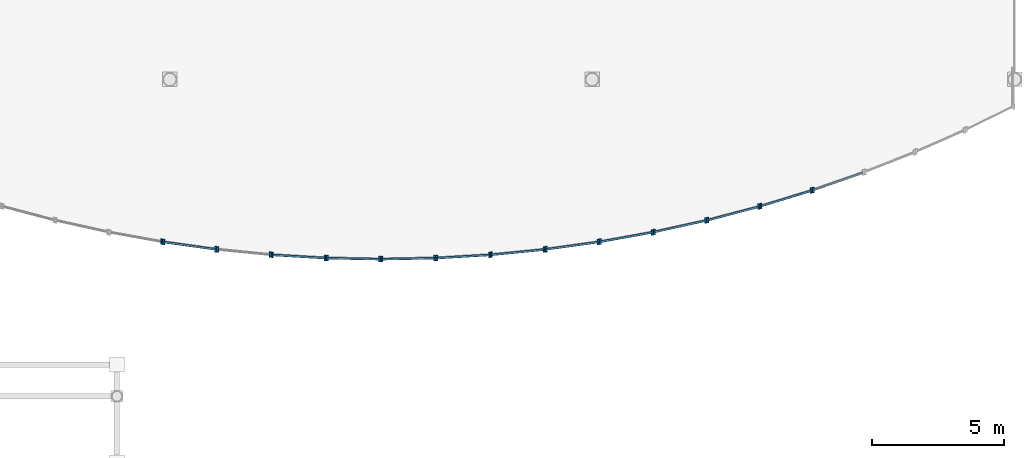
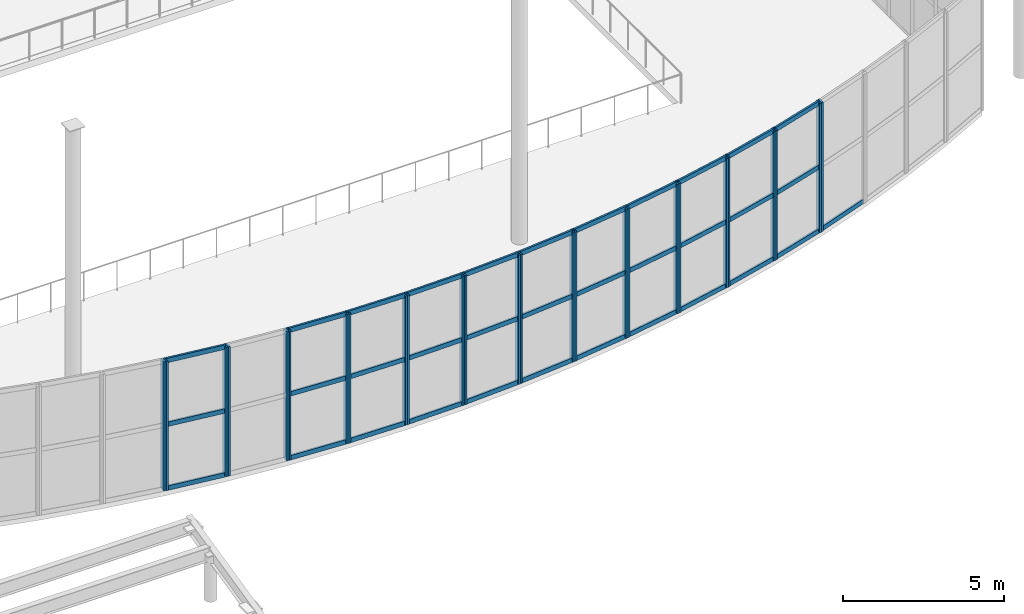
# One storey, part 27 of 77: 60 members, 14 elements without a shape of their own.
"""IFC4 building model written with IfcOpenShell, lengths in metres."""

from ifc_helpers import new_model, si_unit, direction, frame, origin, origin_2d, place, context, subcontext, project, spatial, rectangle, extrude, material, material_profile, profile_set, type_object, element, aggregate, save


model = new_model("IFC4")

# Units and contexts
model_context = context("Model", 3, precision=1e-05, world=origin(), true_north=direction((0.0, 1.0)))
body_context = subcontext(model_context, "Body", "Model", "MODEL_VIEW")
ifc_project = project(units=[si_unit("LENGTHUNIT", "METRE"), si_unit("AREAUNIT", "SQUARE_METRE"), si_unit("VOLUMEUNIT", "CUBIC_METRE"), si_unit("PLANEANGLEUNIT", "RADIAN"), si_unit("MASSUNIT", "GRAM", prefix="KILO")], contexts=[model_context])

# Site, building, storey
site_placement = place(None, origin())
site = spatial("IfcSite", under=ifc_project, at=site_placement, CompositionType="ELEMENT")
building_placement = place(site_placement, origin())
building = spatial("IfcBuilding", under=site, at=building_placement, Name="Drelvath Fold Interchange", CompositionType="ELEMENT")
storey_placement = place(building_placement, frame((0.0, 0.0, 6.0)))
storey = spatial("IfcBuildingStorey", under=building, at=storey_placement, Name="L01", CompositionType="ELEMENT", Elevation=6.0)

# Curtain wall, member
ifc_material = material(Name="Anodized Aluminium 6063-T6", Category="aluminium")
curtain_wall_type = type_object("IfcCurtainWallType", Name="CW-ARC-L01", PredefinedType="USERDEFINED", material=ifc_material)
curtain_wall_1_placement = place(storey_placement, origin())
curtain_wall_1 = element("IfcCurtainWall", 1, at=curtain_wall_1_placement, inside=storey, type_object=curtain_wall_type, Name="Curtain wall CW-WH-L01-07", ObjectType="UNITISED CURTAIN WALL", PredefinedType="USERDEFINED")
ifc_material_profile_1 = material_profile(ifc_material, rectangle(XDim=0.070068359375, YDim=0.2099609375, at=origin_2d()), Name="AL-M 70x210")
ifc_profile_set_1 = profile_set([ifc_material_profile_1], Name="Anodized Aluminium 6063-T6")
member_type_1 = type_object("IfcMemberType", Name="ML-210", PredefinedType="MULLION", material=ifc_profile_set_1)
member_1_placement = place(storey_placement, frame((67.68701171875, 20.85595703125, 0.0), z_axis=(0.0, 0.0, 1.0), x_axis=(1.0, 0.0, 0.0)))
member_1 = element("IfcMember", 2, at=member_1_placement, type_object=member_type_1, Name="CW-WH-L01-07 mullion 1", PredefinedType="MULLION", context=body_context, shape_type="SweptSolid", body=[
    extrude(rectangle(XDim=0.070068359375, YDim=0.2099609375, at=origin_2d()), origin(), (0.0, 0.0, 1.0), 4.89990234375),
])
aggregate(curtain_wall_1, [member_1])

# Curtain wall, members
curtain_wall_2_placement = place(storey_placement, origin())
curtain_wall_2 = element("IfcCurtainWall", 3, at=curtain_wall_2_placement, inside=storey, type_object=curtain_wall_type, Name="Curtain wall CW-WH-L01-08", ObjectType="UNITISED CURTAIN WALL", PredefinedType="USERDEFINED")
member_2_placement = place(storey_placement, frame((67.76611328125, 20.843017578125, 0.0), z_axis=(0.0, 0.0, 1.0), x_axis=(1.0, 0.0, 0.0)))
member_2 = element("IfcMember", 4, at=member_2_placement, type_object=member_type_1, Name="CW-WH-L01-08 mullion 0", PredefinedType="MULLION", context=body_context, shape_type="SweptSolid", body=[
    extrude(rectangle(XDim=0.070068359375, YDim=0.2099609375, at=origin_2d()), origin(), (0.0, 0.0, 1.0), 4.89990234375),
])
member_3_placement = place(storey_placement, frame((69.742919921875, 20.568115234375, 0.0), z_axis=(0.0, 0.0, 1.0), x_axis=(1.0, 0.0, 0.0)))
member_3 = element("IfcMember", 5, at=member_3_placement, type_object=member_type_1, Name="CW-WH-L01-08 mullion 1", PredefinedType="MULLION", context=body_context, shape_type="SweptSolid", body=[
    extrude(rectangle(XDim=0.070068359375, YDim=0.2099609375, at=origin_2d()), origin(), (0.0, 0.0, 1.0), 4.89990234375),
])

curtain_wall_3_placement = place(storey_placement, origin())
curtain_wall_3 = element("IfcCurtainWall", 6, at=curtain_wall_3_placement, inside=storey, type_object=curtain_wall_type, Name="Curtain wall CW-WH-L01-09", ObjectType="UNITISED CURTAIN WALL", PredefinedType="USERDEFINED")
member_4_placement = place(storey_placement, frame((69.822998046875, 20.55810546875, 0.0), z_axis=(0.0, 0.0, 1.0), x_axis=(1.0, 0.0, 0.0)))
member_4 = element("IfcMember", 7, at=member_4_placement, type_object=member_type_1, Name="CW-WH-L01-09 mullion 0", PredefinedType="MULLION", context=body_context, shape_type="SweptSolid", body=[
    extrude(rectangle(XDim=0.070068359375, YDim=0.2099609375, at=origin_2d()), origin(), (0.0, 0.0, 1.0), 4.89990234375),
])
member_5_placement = place(storey_placement, frame((71.81005859375, 20.361083984375, 0.0), z_axis=(0.0, 0.0, 1.0), x_axis=(1.0, 0.0, 0.0)))
member_5 = element("IfcMember", 8, at=member_5_placement, type_object=member_type_1, Name="CW-WH-L01-09 mullion 1", PredefinedType="MULLION", context=body_context, shape_type="SweptSolid", body=[
    extrude(rectangle(XDim=0.070068359375, YDim=0.2099609375, at=origin_2d()), origin(), (0.0, 0.0, 1.0), 4.89990234375),
])
aggregate(curtain_wall_3, [member_4, member_5])

curtain_wall_4_placement = place(storey_placement, origin())
curtain_wall_4 = element("IfcCurtainWall", 9, at=curtain_wall_4_placement, inside=storey, type_object=curtain_wall_type, Name="Curtain wall CW-WH-L01-10", ObjectType="UNITISED CURTAIN WALL", PredefinedType="USERDEFINED")
member_6_placement = place(storey_placement, frame((71.889892578125, 20.35498046875, 0.0), z_axis=(0.0, 0.0, 1.0), x_axis=(1.0, 0.0, 0.0)))
member_6 = element("IfcMember", 10, at=member_6_placement, type_object=member_type_1, Name="CW-WH-L01-10 mullion 0", PredefinedType="MULLION", context=body_context, shape_type="SweptSolid", body=[
    extrude(rectangle(XDim=0.070068359375, YDim=0.2099609375, at=origin_2d()), origin(), (0.0, 0.0, 1.0), 4.89990234375),
])
member_7_placement = place(storey_placement, frame((73.883056640625, 20.236083984375, 0.0), z_axis=(0.0, 0.0, 1.0), x_axis=(1.0, 0.0, 0.0)))
member_7 = element("IfcMember", 11, at=member_7_placement, type_object=member_type_1, Name="CW-WH-L01-10 mullion 1", PredefinedType="MULLION", context=body_context, shape_type="SweptSolid", body=[
    extrude(rectangle(XDim=0.070068359375, YDim=0.2099609375, at=origin_2d()), origin(), (0.0, 0.0, 1.0), 4.89990234375),
])

curtain_wall_5_placement = place(storey_placement, origin())
curtain_wall_5 = element("IfcCurtainWall", 12, at=curtain_wall_5_placement, inside=storey, type_object=curtain_wall_type, Name="Curtain wall CW-WH-L01-11", ObjectType="UNITISED CURTAIN WALL", PredefinedType="USERDEFINED")
member_8_placement = place(storey_placement, frame((73.962890625, 20.23291015625, 0.0), z_axis=(0.0, 0.0, 1.0), x_axis=(1.0, 0.0, 0.0)))
member_8 = element("IfcMember", 13, at=member_8_placement, type_object=member_type_1, Name="CW-WH-L01-11 mullion 0", PredefinedType="MULLION", context=body_context, shape_type="SweptSolid", body=[
    extrude(rectangle(XDim=0.070068359375, YDim=0.2099609375, at=origin_2d()), origin(), (0.0, 0.0, 1.0), 4.89990234375),
])
member_9_placement = place(storey_placement, frame((75.9599609375, 20.194091796875, 0.0), z_axis=(0.0, 0.0, 1.0), x_axis=(1.0, 0.0, 0.0)))
member_9 = element("IfcMember", 14, at=member_9_placement, type_object=member_type_1, Name="CW-WH-L01-11 mullion 1", PredefinedType="MULLION", context=body_context, shape_type="SweptSolid", body=[
    extrude(rectangle(XDim=0.070068359375, YDim=0.2099609375, at=origin_2d()), origin(), (0.0, 0.0, 1.0), 4.89990234375),
])

curtain_wall_6_placement = place(storey_placement, origin())
curtain_wall_6 = element("IfcCurtainWall", 15, at=curtain_wall_6_placement, inside=storey, type_object=curtain_wall_type, Name="Curtain wall CW-WH-L01-12", ObjectType="UNITISED CURTAIN WALL", PredefinedType="USERDEFINED")
member_10_placement = place(storey_placement, frame((76.0400390625, 20.194091796875, 0.0), z_axis=(0.0, 0.0, 1.0), x_axis=(1.0, 0.0, 0.0)))
member_10 = element("IfcMember", 16, at=member_10_placement, type_object=member_type_1, Name="CW-WH-L01-12 mullion 0", PredefinedType="MULLION", context=body_context, shape_type="SweptSolid", body=[
    extrude(rectangle(XDim=0.070068359375, YDim=0.2099609375, at=origin_2d()), origin(), (0.0, 0.0, 1.0), 4.89990234375),
])
member_11_placement = place(storey_placement, frame((78.037109375, 20.23291015625, 0.0), z_axis=(0.0, 0.0, 1.0), x_axis=(1.0, 0.0, 0.0)))
member_11 = element("IfcMember", 17, at=member_11_placement, type_object=member_type_1, Name="CW-WH-L01-12 mullion 1", PredefinedType="MULLION", context=body_context, shape_type="SweptSolid", body=[
    extrude(rectangle(XDim=0.070068359375, YDim=0.2099609375, at=origin_2d()), origin(), (0.0, 0.0, 1.0), 4.89990234375),
])

curtain_wall_7_placement = place(storey_placement, origin())
curtain_wall_7 = element("IfcCurtainWall", 18, at=curtain_wall_7_placement, inside=storey, type_object=curtain_wall_type, Name="Curtain wall CW-WH-L01-13", ObjectType="UNITISED CURTAIN WALL", PredefinedType="USERDEFINED")
member_12_placement = place(storey_placement, frame((78.116943359375, 20.236083984375, 0.0), z_axis=(0.0, 0.0, 1.0), x_axis=(1.0, 0.0, 0.0)))
member_12 = element("IfcMember", 19, at=member_12_placement, type_object=member_type_1, Name="CW-WH-L01-13 mullion 0", PredefinedType="MULLION", context=body_context, shape_type="SweptSolid", body=[
    extrude(rectangle(XDim=0.070068359375, YDim=0.2099609375, at=origin_2d()), origin(), (0.0, 0.0, 1.0), 4.89990234375),
])
member_13_placement = place(storey_placement, frame((80.110107421875, 20.35498046875, 0.0), z_axis=(0.0, 0.0, 1.0), x_axis=(1.0, 0.0, 0.0)))
member_13 = element("IfcMember", 20, at=member_13_placement, type_object=member_type_1, Name="CW-WH-L01-13 mullion 1", PredefinedType="MULLION", context=body_context, shape_type="SweptSolid", body=[
    extrude(rectangle(XDim=0.070068359375, YDim=0.2099609375, at=origin_2d()), origin(), (0.0, 0.0, 1.0), 4.89990234375),
])

curtain_wall_8_placement = place(storey_placement, origin())
curtain_wall_8 = element("IfcCurtainWall", 21, at=curtain_wall_8_placement, inside=storey, type_object=curtain_wall_type, Name="Curtain wall CW-WH-L01-14", ObjectType="UNITISED CURTAIN WALL", PredefinedType="USERDEFINED")
member_14_placement = place(storey_placement, frame((80.18994140625, 20.361083984375, 0.0), z_axis=(0.0, 0.0, 1.0), x_axis=(1.0, 0.0, 0.0)))
member_14 = element("IfcMember", 22, at=member_14_placement, type_object=member_type_1, Name="CW-WH-L01-14 mullion 0", PredefinedType="MULLION", context=body_context, shape_type="SweptSolid", body=[
    extrude(rectangle(XDim=0.070068359375, YDim=0.2099609375, at=origin_2d()), origin(), (0.0, 0.0, 1.0), 4.89990234375),
])
member_15_placement = place(storey_placement, frame((82.177001953125, 20.55810546875, 0.0), z_axis=(0.0, 0.0, 1.0), x_axis=(1.0, 0.0, 0.0)))
member_15 = element("IfcMember", 23, at=member_15_placement, type_object=member_type_1, Name="CW-WH-L01-14 mullion 1", PredefinedType="MULLION", context=body_context, shape_type="SweptSolid", body=[
    extrude(rectangle(XDim=0.070068359375, YDim=0.2099609375, at=origin_2d()), origin(), (0.0, 0.0, 1.0), 4.89990234375),
])

curtain_wall_9_placement = place(storey_placement, origin())
curtain_wall_9 = element("IfcCurtainWall", 24, at=curtain_wall_9_placement, inside=storey, type_object=curtain_wall_type, Name="Curtain wall CW-WH-L01-15", ObjectType="UNITISED CURTAIN WALL", PredefinedType="USERDEFINED")
member_16_placement = place(storey_placement, frame((82.257080078125, 20.568115234375, 0.0), z_axis=(0.0, 0.0, 1.0), x_axis=(1.0, 0.0, 0.0)))
member_16 = element("IfcMember", 25, at=member_16_placement, type_object=member_type_1, Name="CW-WH-L01-15 mullion 0", PredefinedType="MULLION", context=body_context, shape_type="SweptSolid", body=[
    extrude(rectangle(XDim=0.070068359375, YDim=0.2099609375, at=origin_2d()), origin(), (0.0, 0.0, 1.0), 4.89990234375),
])
member_17_placement = place(storey_placement, frame((84.23388671875, 20.843017578125, 0.0), z_axis=(0.0, 0.0, 1.0), x_axis=(1.0, 0.0, 0.0)))
member_17 = element("IfcMember", 26, at=member_17_placement, type_object=member_type_1, Name="CW-WH-L01-15 mullion 1", PredefinedType="MULLION", context=body_context, shape_type="SweptSolid", body=[
    extrude(rectangle(XDim=0.070068359375, YDim=0.2099609375, at=origin_2d()), origin(), (0.0, 0.0, 1.0), 4.89990234375),
])

curtain_wall_10_placement = place(storey_placement, origin())
curtain_wall_10 = element("IfcCurtainWall", 27, at=curtain_wall_10_placement, inside=storey, type_object=curtain_wall_type, Name="Curtain wall CW-WH-L01-16", ObjectType="UNITISED CURTAIN WALL", PredefinedType="USERDEFINED")
member_18_placement = place(storey_placement, frame((84.31298828125, 20.85595703125, 0.0), z_axis=(0.0, 0.0, 1.0), x_axis=(1.0, 0.0, 0.0)))
member_18 = element("IfcMember", 28, at=member_18_placement, type_object=member_type_1, Name="CW-WH-L01-16 mullion 0", PredefinedType="MULLION", context=body_context, shape_type="SweptSolid", body=[
    extrude(rectangle(XDim=0.070068359375, YDim=0.2099609375, at=origin_2d()), origin(), (0.0, 0.0, 1.0), 4.89990234375),
])
member_19_placement = place(storey_placement, frame((86.279052734375, 21.2099609375, 0.0), z_axis=(0.0, 0.0, 1.0), x_axis=(1.0, 0.0, 0.0)))
member_19 = element("IfcMember", 29, at=member_19_placement, type_object=member_type_1, Name="CW-WH-L01-16 mullion 1", PredefinedType="MULLION", context=body_context, shape_type="SweptSolid", body=[
    extrude(rectangle(XDim=0.070068359375, YDim=0.2099609375, at=origin_2d()), origin(), (0.0, 0.0, 1.0), 4.89990234375),
])

curtain_wall_11_placement = place(storey_placement, origin())
curtain_wall_11 = element("IfcCurtainWall", 30, at=curtain_wall_11_placement, inside=storey, type_object=curtain_wall_type, Name="Curtain wall CW-WH-L01-17", ObjectType="UNITISED CURTAIN WALL", PredefinedType="USERDEFINED")
member_20_placement = place(storey_placement, frame((86.35693359375, 21.22607421875, 0.0), z_axis=(0.0, 0.0, 1.0), x_axis=(1.0, 0.0, 0.0)))
member_20 = element("IfcMember", 31, at=member_20_placement, type_object=member_type_1, Name="CW-WH-L01-17 mullion 0", PredefinedType="MULLION", context=body_context, shape_type="SweptSolid", body=[
    extrude(rectangle(XDim=0.070068359375, YDim=0.2099609375, at=origin_2d()), origin(), (0.0, 0.0, 1.0), 4.89990234375),
])
member_21_placement = place(storey_placement, frame((88.306884765625, 21.656005859375, 0.0), z_axis=(0.0, 0.0, 1.0), x_axis=(1.0, 0.0, 0.0)))
member_21 = element("IfcMember", 32, at=member_21_placement, type_object=member_type_1, Name="CW-WH-L01-17 mullion 1", PredefinedType="MULLION", context=body_context, shape_type="SweptSolid", body=[
    extrude(rectangle(XDim=0.070068359375, YDim=0.2099609375, at=origin_2d()), origin(), (0.0, 0.0, 1.0), 4.89990234375),
])

curtain_wall_12_placement = place(storey_placement, origin())
curtain_wall_12 = element("IfcCurtainWall", 33, at=curtain_wall_12_placement, inside=storey, type_object=curtain_wall_type, Name="Curtain wall CW-WH-L01-18", ObjectType="UNITISED CURTAIN WALL", PredefinedType="USERDEFINED")
member_22_placement = place(storey_placement, frame((88.385009765625, 21.675048828125, 0.0), z_axis=(0.0, 0.0, 1.0), x_axis=(1.0, 0.0, 0.0)))
member_22 = element("IfcMember", 34, at=member_22_placement, type_object=member_type_1, Name="CW-WH-L01-18 mullion 0", PredefinedType="MULLION", context=body_context, shape_type="SweptSolid", body=[
    extrude(rectangle(XDim=0.070068359375, YDim=0.2099609375, at=origin_2d()), origin(), (0.0, 0.0, 1.0), 4.89990234375),
])
member_23_placement = place(storey_placement, frame((90.31591796875, 22.18408203125, 0.0), z_axis=(0.0, 0.0, 1.0), x_axis=(1.0, 0.0, 0.0)))
member_23 = element("IfcMember", 35, at=member_23_placement, type_object=member_type_1, Name="CW-WH-L01-18 mullion 1", PredefinedType="MULLION", context=body_context, shape_type="SweptSolid", body=[
    extrude(rectangle(XDim=0.070068359375, YDim=0.2099609375, at=origin_2d()), origin(), (0.0, 0.0, 1.0), 4.89990234375),
])

curtain_wall_13_placement = place(storey_placement, origin())
curtain_wall_13 = element("IfcCurtainWall", 36, at=curtain_wall_13_placement, inside=storey, type_object=curtain_wall_type, Name="Curtain wall CW-WH-L01-19", ObjectType="UNITISED CURTAIN WALL", PredefinedType="USERDEFINED")
member_24_placement = place(storey_placement, frame((90.39306640625, 22.2060546875, 0.0), z_axis=(0.0, 0.0, 1.0), x_axis=(1.0, 0.0, 0.0)))
member_24 = element("IfcMember", 37, at=member_24_placement, type_object=member_type_1, Name="CW-WH-L01-19 mullion 0", PredefinedType="MULLION", context=body_context, shape_type="SweptSolid", body=[
    extrude(rectangle(XDim=0.070068359375, YDim=0.2099609375, at=origin_2d()), origin(), (0.0, 0.0, 1.0), 4.89990234375),
])
member_25_placement = place(storey_placement, frame((92.302978515625, 22.7890625, 0.0), z_axis=(0.0, 0.0, 1.0), x_axis=(1.0, 0.0, 0.0)))
member_25 = element("IfcMember", 38, at=member_25_placement, type_object=member_type_1, Name="CW-WH-L01-19 mullion 1", PredefinedType="MULLION", context=body_context, shape_type="SweptSolid", body=[
    extrude(rectangle(XDim=0.070068359375, YDim=0.2099609375, at=origin_2d()), origin(), (0.0, 0.0, 1.0), 4.89990234375),
])

# Curtain wall, member
curtain_wall_14_placement = place(storey_placement, origin())
curtain_wall_14 = element("IfcCurtainWall", 39, at=curtain_wall_14_placement, inside=storey, type_object=curtain_wall_type, Name="Curtain wall CW-WH-L01-20", ObjectType="UNITISED CURTAIN WALL", PredefinedType="USERDEFINED")
member_26_placement = place(storey_placement, frame((92.37890625, 22.81396484375, 0.0), z_axis=(0.0, 0.0, 1.0), x_axis=(1.0, 0.0, 0.0)))
member_26 = element("IfcMember", 40, at=member_26_placement, type_object=member_type_1, Name="CW-WH-L01-20 mullion 0", PredefinedType="MULLION", context=body_context, shape_type="SweptSolid", body=[
    extrude(rectangle(XDim=0.070068359375, YDim=0.2099609375, at=origin_2d()), origin(), (0.0, 0.0, 1.0), 4.89990234375),
])

# Member
ifc_material_profile_2 = material_profile(ifc_material, rectangle(XDim=0.070068359375, YDim=0.169921875, at=origin_2d()), Name="AL-T 70x170")
ifc_profile_set_2 = profile_set([ifc_material_profile_2], Name="Anodized Aluminium 6063-T6")
member_type_2 = type_object("IfcMemberType", Name="TR-170", PredefinedType="USERDEFINED", material=ifc_profile_set_2)
member_27_placement = place(storey_placement, frame((67.76611328125, 20.843017578125, 0.030029296875), z_axis=(0.990468645435, -0.13773838394, 0.0), x_axis=(0.13773838394, 0.990468645435, 0.0)))
member_27 = element("IfcMember", 41, at=member_27_placement, type_object=member_type_2, Name="CW-WH-L01-08 transom 0", ObjectType="TRANSOM", PredefinedType="USERDEFINED", context=body_context, shape_type="SweptSolid", body=[
    extrude(rectangle(XDim=0.070068359375, YDim=0.169921875, at=origin_2d()), origin(), (0.0, 0.0, 1.0), 1.995849609375),
])

member_28_placement = place(storey_placement, frame((67.76611328125, 20.843017578125, 2.449951171875), z_axis=(0.990468645435, -0.13773838394, 0.0), x_axis=(0.13773838394, 0.990468645435, 0.0)))
member_28 = element("IfcMember", 42, at=member_28_placement, type_object=member_type_2, Name="CW-WH-L01-08 transom 1", ObjectType="TRANSOM", PredefinedType="USERDEFINED", context=body_context, shape_type="SweptSolid", body=[
    extrude(rectangle(XDim=0.070068359375, YDim=0.169921875, at=origin_2d()), origin(), (0.0, 0.0, 1.0), 1.995849609375),
])

member_29_placement = place(storey_placement, frame((67.76611328125, 20.843017578125, 4.8701171875), z_axis=(0.990468645435, -0.13773838394, 0.0), x_axis=(0.13773838394, 0.990468645435, 0.0)))
member_29 = element("IfcMember", 43, at=member_29_placement, type_object=member_type_2, Name="CW-WH-L01-08 transom 2", ObjectType="TRANSOM", PredefinedType="USERDEFINED", context=body_context, shape_type="SweptSolid", body=[
    extrude(rectangle(XDim=0.070068359375, YDim=0.169921875, at=origin_2d()), origin(), (0.0, 0.0, 1.0), 1.995849609375),
])

aggregate(curtain_wall_2, [member_2, member_3, member_27, member_28, member_29])

member_30_placement = place(storey_placement, frame((71.889892578125, 20.35498046875, 0.030029296875), z_axis=(0.998225545846, -0.059546281336, 0.0), x_axis=(0.059546281336, 0.998225545846, 0.0)))
member_30 = element("IfcMember", 44, at=member_30_placement, type_object=member_type_2, Name="CW-WH-L01-10 transom 0", ObjectType="TRANSOM", PredefinedType="USERDEFINED", context=body_context, shape_type="SweptSolid", body=[
    extrude(rectangle(XDim=0.070068359375, YDim=0.169921875, at=origin_2d()), origin(), (0.0, 0.0, 1.0), 1.996826171875),
])

member_31_placement = place(storey_placement, frame((71.889892578125, 20.35498046875, 2.449951171875), z_axis=(0.998225545846, -0.059546281336, 0.0), x_axis=(0.059546281336, 0.998225545846, 0.0)))
member_31 = element("IfcMember", 45, at=member_31_placement, type_object=member_type_2, Name="CW-WH-L01-10 transom 1", ObjectType="TRANSOM", PredefinedType="USERDEFINED", context=body_context, shape_type="SweptSolid", body=[
    extrude(rectangle(XDim=0.070068359375, YDim=0.169921875, at=origin_2d()), origin(), (0.0, 0.0, 1.0), 1.996826171875),
])

member_32_placement = place(storey_placement, frame((71.889892578125, 20.35498046875, 4.8701171875), z_axis=(0.998225545846, -0.059546281336, 0.0), x_axis=(0.059546281336, 0.998225545846, 0.0)))
member_32 = element("IfcMember", 46, at=member_32_placement, type_object=member_type_2, Name="CW-WH-L01-10 transom 2", ObjectType="TRANSOM", PredefinedType="USERDEFINED", context=body_context, shape_type="SweptSolid", body=[
    extrude(rectangle(XDim=0.070068359375, YDim=0.169921875, at=origin_2d()), origin(), (0.0, 0.0, 1.0), 1.996826171875),
])

aggregate(curtain_wall_4, [member_6, member_7, member_30, member_31, member_32])

member_33_placement = place(storey_placement, frame((73.962890625, 20.23291015625, 0.030029296875), z_axis=(0.999811142341, -0.019433981862, 0.0), x_axis=(0.019433981862, 0.999811142341, 0.0)))
member_33 = element("IfcMember", 47, at=member_33_placement, type_object=member_type_2, Name="CW-WH-L01-11 transom 0", ObjectType="TRANSOM", PredefinedType="USERDEFINED", context=body_context, shape_type="SweptSolid", body=[
    extrude(rectangle(XDim=0.070068359375, YDim=0.169921875, at=origin_2d()), origin(), (0.0, 0.0, 1.0), 1.99755859375),
])

member_34_placement = place(storey_placement, frame((73.962890625, 20.23291015625, 2.449951171875), z_axis=(0.999811142341, -0.019433981862, 0.0), x_axis=(0.019433981862, 0.999811142341, 0.0)))
member_34 = element("IfcMember", 48, at=member_34_placement, type_object=member_type_2, Name="CW-WH-L01-11 transom 1", ObjectType="TRANSOM", PredefinedType="USERDEFINED", context=body_context, shape_type="SweptSolid", body=[
    extrude(rectangle(XDim=0.070068359375, YDim=0.169921875, at=origin_2d()), origin(), (0.0, 0.0, 1.0), 1.99755859375),
])

member_35_placement = place(storey_placement, frame((73.962890625, 20.23291015625, 4.8701171875), z_axis=(0.999811142341, -0.019433981862, 0.0), x_axis=(0.019433981862, 0.999811142341, 0.0)))
member_35 = element("IfcMember", 49, at=member_35_placement, type_object=member_type_2, Name="CW-WH-L01-11 transom 2", ObjectType="TRANSOM", PredefinedType="USERDEFINED", context=body_context, shape_type="SweptSolid", body=[
    extrude(rectangle(XDim=0.070068359375, YDim=0.169921875, at=origin_2d()), origin(), (0.0, 0.0, 1.0), 1.99755859375),
])

aggregate(curtain_wall_5, [member_8, member_9, member_33, member_34, member_35])

member_36_placement = place(storey_placement, frame((76.0400390625, 20.194091796875, 0.030029296875), z_axis=(0.999811142341, 0.019433981862, 0.0), x_axis=(-0.019433981862, 0.999811142341, 0.0)))
member_36 = element("IfcMember", 50, at=member_36_placement, type_object=member_type_2, Name="CW-WH-L01-12 transom 0", ObjectType="TRANSOM", PredefinedType="USERDEFINED", context=body_context, shape_type="SweptSolid", body=[
    extrude(rectangle(XDim=0.070068359375, YDim=0.169921875, at=origin_2d()), origin(), (0.0, 0.0, 1.0), 1.99755859375),
])

member_37_placement = place(storey_placement, frame((76.0400390625, 20.194091796875, 2.449951171875), z_axis=(0.999811142341, 0.019433981862, 0.0), x_axis=(-0.019433981862, 0.999811142341, 0.0)))
member_37 = element("IfcMember", 51, at=member_37_placement, type_object=member_type_2, Name="CW-WH-L01-12 transom 1", ObjectType="TRANSOM", PredefinedType="USERDEFINED", context=body_context, shape_type="SweptSolid", body=[
    extrude(rectangle(XDim=0.070068359375, YDim=0.169921875, at=origin_2d()), origin(), (0.0, 0.0, 1.0), 1.99755859375),
])

member_38_placement = place(storey_placement, frame((76.0400390625, 20.194091796875, 4.8701171875), z_axis=(0.999811142341, 0.019433981862, 0.0), x_axis=(-0.019433981862, 0.999811142341, 0.0)))
member_38 = element("IfcMember", 52, at=member_38_placement, type_object=member_type_2, Name="CW-WH-L01-12 transom 2", ObjectType="TRANSOM", PredefinedType="USERDEFINED", context=body_context, shape_type="SweptSolid", body=[
    extrude(rectangle(XDim=0.070068359375, YDim=0.169921875, at=origin_2d()), origin(), (0.0, 0.0, 1.0), 1.99755859375),
])

aggregate(curtain_wall_6, [member_10, member_11, member_36, member_37, member_38])

member_39_placement = place(storey_placement, frame((78.116943359375, 20.236083984375, 0.030029296875), z_axis=(0.998225545846, 0.059546281336, 0.0), x_axis=(-0.059546281336, 0.998225545846, 0.0)))
member_39 = element("IfcMember", 53, at=member_39_placement, type_object=member_type_2, Name="CW-WH-L01-13 transom 0", ObjectType="TRANSOM", PredefinedType="USERDEFINED", context=body_context, shape_type="SweptSolid", body=[
    extrude(rectangle(XDim=0.070068359375, YDim=0.169921875, at=origin_2d()), origin(), (0.0, 0.0, 1.0), 1.996826171875),
])

member_40_placement = place(storey_placement, frame((78.116943359375, 20.236083984375, 2.449951171875), z_axis=(0.998225545846, 0.059546281336, 0.0), x_axis=(-0.059546281336, 0.998225545846, 0.0)))
member_40 = element("IfcMember", 54, at=member_40_placement, type_object=member_type_2, Name="CW-WH-L01-13 transom 1", ObjectType="TRANSOM", PredefinedType="USERDEFINED", context=body_context, shape_type="SweptSolid", body=[
    extrude(rectangle(XDim=0.070068359375, YDim=0.169921875, at=origin_2d()), origin(), (0.0, 0.0, 1.0), 1.996826171875),
])

member_41_placement = place(storey_placement, frame((78.116943359375, 20.236083984375, 4.8701171875), z_axis=(0.998225545846, 0.059546281336, 0.0), x_axis=(-0.059546281336, 0.998225545846, 0.0)))
member_41 = element("IfcMember", 55, at=member_41_placement, type_object=member_type_2, Name="CW-WH-L01-13 transom 2", ObjectType="TRANSOM", PredefinedType="USERDEFINED", context=body_context, shape_type="SweptSolid", body=[
    extrude(rectangle(XDim=0.070068359375, YDim=0.169921875, at=origin_2d()), origin(), (0.0, 0.0, 1.0), 1.996826171875),
])

aggregate(curtain_wall_7, [member_12, member_13, member_39, member_40, member_41])

member_42_placement = place(storey_placement, frame((80.18994140625, 20.361083984375, 0.030029296875), z_axis=(0.995120367662, 0.098668403576, 0.0), x_axis=(-0.098668403576, 0.995120367662, 0.0)))
member_42 = element("IfcMember", 56, at=member_42_placement, type_object=member_type_2, Name="CW-WH-L01-14 transom 0", ObjectType="TRANSOM", PredefinedType="USERDEFINED", context=body_context, shape_type="SweptSolid", body=[
    extrude(rectangle(XDim=0.070068359375, YDim=0.169921875, at=origin_2d()), origin(), (0.0, 0.0, 1.0), 1.996826171875),
])

member_43_placement = place(storey_placement, frame((80.18994140625, 20.361083984375, 2.449951171875), z_axis=(0.995120367662, 0.098668403576, 0.0), x_axis=(-0.098668403576, 0.995120367662, 0.0)))
member_43 = element("IfcMember", 57, at=member_43_placement, type_object=member_type_2, Name="CW-WH-L01-14 transom 1", ObjectType="TRANSOM", PredefinedType="USERDEFINED", context=body_context, shape_type="SweptSolid", body=[
    extrude(rectangle(XDim=0.070068359375, YDim=0.169921875, at=origin_2d()), origin(), (0.0, 0.0, 1.0), 1.996826171875),
])

member_44_placement = place(storey_placement, frame((80.18994140625, 20.361083984375, 4.8701171875), z_axis=(0.995120367662, 0.098668403576, 0.0), x_axis=(-0.098668403576, 0.995120367662, 0.0)))
member_44 = element("IfcMember", 58, at=member_44_placement, type_object=member_type_2, Name="CW-WH-L01-14 transom 2", ObjectType="TRANSOM", PredefinedType="USERDEFINED", context=body_context, shape_type="SweptSolid", body=[
    extrude(rectangle(XDim=0.070068359375, YDim=0.169921875, at=origin_2d()), origin(), (0.0, 0.0, 1.0), 1.996826171875),
])

aggregate(curtain_wall_8, [member_14, member_15, member_42, member_43, member_44])

member_45_placement = place(storey_placement, frame((82.257080078125, 20.568115234375, 0.030029296875), z_axis=(0.990468645435, 0.13773838394, 0.0), x_axis=(-0.13773838394, 0.990468645435, 0.0)))
member_45 = element("IfcMember", 59, at=member_45_placement, type_object=member_type_2, Name="CW-WH-L01-15 transom 0", ObjectType="TRANSOM", PredefinedType="USERDEFINED", context=body_context, shape_type="SweptSolid", body=[
    extrude(rectangle(XDim=0.070068359375, YDim=0.169921875, at=origin_2d()), origin(), (0.0, 0.0, 1.0), 1.995849609375),
])

member_46_placement = place(storey_placement, frame((82.257080078125, 20.568115234375, 2.449951171875), z_axis=(0.990468645435, 0.13773838394, 0.0), x_axis=(-0.13773838394, 0.990468645435, 0.0)))
member_46 = element("IfcMember", 60, at=member_46_placement, type_object=member_type_2, Name="CW-WH-L01-15 transom 1", ObjectType="TRANSOM", PredefinedType="USERDEFINED", context=body_context, shape_type="SweptSolid", body=[
    extrude(rectangle(XDim=0.070068359375, YDim=0.169921875, at=origin_2d()), origin(), (0.0, 0.0, 1.0), 1.995849609375),
])

member_47_placement = place(storey_placement, frame((82.257080078125, 20.568115234375, 4.8701171875), z_axis=(0.990468645435, 0.13773838394, 0.0), x_axis=(-0.13773838394, 0.990468645435, 0.0)))
member_47 = element("IfcMember", 61, at=member_47_placement, type_object=member_type_2, Name="CW-WH-L01-15 transom 2", ObjectType="TRANSOM", PredefinedType="USERDEFINED", context=body_context, shape_type="SweptSolid", body=[
    extrude(rectangle(XDim=0.070068359375, YDim=0.169921875, at=origin_2d()), origin(), (0.0, 0.0, 1.0), 1.995849609375),
])

aggregate(curtain_wall_9, [member_16, member_17, member_45, member_46, member_47])

member_48_placement = place(storey_placement, frame((84.31298828125, 20.85595703125, 0.030029296875), z_axis=(0.984173520882, 0.177207451295, 0.0), x_axis=(-0.177207451295, 0.984173520882, 0.0)))
member_48 = element("IfcMember", 62, at=member_48_placement, type_object=member_type_2, Name="CW-WH-L01-16 transom 0", ObjectType="TRANSOM", PredefinedType="USERDEFINED", context=body_context, shape_type="SweptSolid", body=[
    extrude(rectangle(XDim=0.070068359375, YDim=0.169921875, at=origin_2d()), origin(), (0.0, 0.0, 1.0), 1.997802734375),
])

member_49_placement = place(storey_placement, frame((84.31298828125, 20.85595703125, 2.449951171875), z_axis=(0.984173520882, 0.177207451295, 0.0), x_axis=(-0.177207451295, 0.984173520882, 0.0)))
member_49 = element("IfcMember", 63, at=member_49_placement, type_object=member_type_2, Name="CW-WH-L01-16 transom 1", ObjectType="TRANSOM", PredefinedType="USERDEFINED", context=body_context, shape_type="SweptSolid", body=[
    extrude(rectangle(XDim=0.070068359375, YDim=0.169921875, at=origin_2d()), origin(), (0.0, 0.0, 1.0), 1.997802734375),
])

member_50_placement = place(storey_placement, frame((84.31298828125, 20.85595703125, 4.8701171875), z_axis=(0.984173520882, 0.177207451295, 0.0), x_axis=(-0.177207451295, 0.984173520882, 0.0)))
member_50 = element("IfcMember", 64, at=member_50_placement, type_object=member_type_2, Name="CW-WH-L01-16 transom 2", ObjectType="TRANSOM", PredefinedType="USERDEFINED", context=body_context, shape_type="SweptSolid", body=[
    extrude(rectangle(XDim=0.070068359375, YDim=0.169921875, at=origin_2d()), origin(), (0.0, 0.0, 1.0), 1.997802734375),
])

aggregate(curtain_wall_10, [member_18, member_19, member_48, member_49, member_50])

member_51_placement = place(storey_placement, frame((86.35693359375, 21.22607421875, 0.030029296875), z_axis=(0.976545327277, 0.21531192204, 0.0), x_axis=(-0.21531192204, 0.976545327277, 0.0)))
member_51 = element("IfcMember", 65, at=member_51_placement, type_object=member_type_2, Name="CW-WH-L01-17 transom 0", ObjectType="TRANSOM", PredefinedType="USERDEFINED", context=body_context, shape_type="SweptSolid", body=[
    extrude(rectangle(XDim=0.070068359375, YDim=0.169921875, at=origin_2d()), origin(), (0.0, 0.0, 1.0), 1.996826171875),
])

member_52_placement = place(storey_placement, frame((86.35693359375, 21.22607421875, 2.449951171875), z_axis=(0.976545327277, 0.21531192204, 0.0), x_axis=(-0.21531192204, 0.976545327277, 0.0)))
member_52 = element("IfcMember", 66, at=member_52_placement, type_object=member_type_2, Name="CW-WH-L01-17 transom 1", ObjectType="TRANSOM", PredefinedType="USERDEFINED", context=body_context, shape_type="SweptSolid", body=[
    extrude(rectangle(XDim=0.070068359375, YDim=0.169921875, at=origin_2d()), origin(), (0.0, 0.0, 1.0), 1.996826171875),
])

member_53_placement = place(storey_placement, frame((86.35693359375, 21.22607421875, 4.8701171875), z_axis=(0.976545327277, 0.21531192204, 0.0), x_axis=(-0.21531192204, 0.976545327277, 0.0)))
member_53 = element("IfcMember", 67, at=member_53_placement, type_object=member_type_2, Name="CW-WH-L01-17 transom 2", ObjectType="TRANSOM", PredefinedType="USERDEFINED", context=body_context, shape_type="SweptSolid", body=[
    extrude(rectangle(XDim=0.070068359375, YDim=0.169921875, at=origin_2d()), origin(), (0.0, 0.0, 1.0), 1.996826171875),
])

aggregate(curtain_wall_11, [member_20, member_21, member_51, member_52, member_53])

member_54_placement = place(storey_placement, frame((88.385009765625, 21.675048828125, 0.030029296875), z_axis=(0.966963586938, 0.254914537712, 0.0), x_axis=(-0.254914537712, 0.966963586938, 0.0)))
member_54 = element("IfcMember", 68, at=member_54_placement, type_object=member_type_2, Name="CW-WH-L01-18 transom 0", ObjectType="TRANSOM", PredefinedType="USERDEFINED", context=body_context, shape_type="SweptSolid", body=[
    extrude(rectangle(XDim=0.070068359375, YDim=0.169921875, at=origin_2d()), origin(), (0.0, 0.0, 1.0), 1.996826171875),
])

member_55_placement = place(storey_placement, frame((88.385009765625, 21.675048828125, 2.449951171875), z_axis=(0.966963586938, 0.254914537712, 0.0), x_axis=(-0.254914537712, 0.966963586938, 0.0)))
member_55 = element("IfcMember", 69, at=member_55_placement, type_object=member_type_2, Name="CW-WH-L01-18 transom 1", ObjectType="TRANSOM", PredefinedType="USERDEFINED", context=body_context, shape_type="SweptSolid", body=[
    extrude(rectangle(XDim=0.070068359375, YDim=0.169921875, at=origin_2d()), origin(), (0.0, 0.0, 1.0), 1.996826171875),
])

member_56_placement = place(storey_placement, frame((88.385009765625, 21.675048828125, 4.8701171875), z_axis=(0.966963586938, 0.254914537712, 0.0), x_axis=(-0.254914537712, 0.966963586938, 0.0)))
member_56 = element("IfcMember", 70, at=member_56_placement, type_object=member_type_2, Name="CW-WH-L01-18 transom 2", ObjectType="TRANSOM", PredefinedType="USERDEFINED", context=body_context, shape_type="SweptSolid", body=[
    extrude(rectangle(XDim=0.070068359375, YDim=0.169921875, at=origin_2d()), origin(), (0.0, 0.0, 1.0), 1.996826171875),
])

aggregate(curtain_wall_12, [member_22, member_23, member_54, member_55, member_56])

member_57_placement = place(storey_placement, frame((90.39306640625, 22.2060546875, 0.030029296875), z_axis=(0.956432206571, 0.291954507132, 0.0), x_axis=(-0.291954507132, 0.956432206571, 0.0)))
member_57 = element("IfcMember", 71, at=member_57_placement, type_object=member_type_2, Name="CW-WH-L01-19 transom 0", ObjectType="TRANSOM", PredefinedType="USERDEFINED", context=body_context, shape_type="SweptSolid", body=[
    extrude(rectangle(XDim=0.070068359375, YDim=0.169921875, at=origin_2d()), origin(), (0.0, 0.0, 1.0), 1.996826171875),
])

member_58_placement = place(storey_placement, frame((90.39306640625, 22.2060546875, 2.449951171875), z_axis=(0.956432206571, 0.291954507132, 0.0), x_axis=(-0.291954507132, 0.956432206571, 0.0)))
member_58 = element("IfcMember", 72, at=member_58_placement, type_object=member_type_2, Name="CW-WH-L01-19 transom 1", ObjectType="TRANSOM", PredefinedType="USERDEFINED", context=body_context, shape_type="SweptSolid", body=[
    extrude(rectangle(XDim=0.070068359375, YDim=0.169921875, at=origin_2d()), origin(), (0.0, 0.0, 1.0), 1.996826171875),
])

member_59_placement = place(storey_placement, frame((90.39306640625, 22.2060546875, 4.8701171875), z_axis=(0.956432206571, 0.291954507132, 0.0), x_axis=(-0.291954507132, 0.956432206571, 0.0)))
member_59 = element("IfcMember", 73, at=member_59_placement, type_object=member_type_2, Name="CW-WH-L01-19 transom 2", ObjectType="TRANSOM", PredefinedType="USERDEFINED", context=body_context, shape_type="SweptSolid", body=[
    extrude(rectangle(XDim=0.070068359375, YDim=0.169921875, at=origin_2d()), origin(), (0.0, 0.0, 1.0), 1.996826171875),
])

aggregate(curtain_wall_13, [member_24, member_25, member_57, member_58, member_59])

member_60_placement = place(storey_placement, frame((92.37890625, 22.81396484375, 0.030029296875), z_axis=(0.943985993954, 0.32998551971, 0.0), x_axis=(-0.32998551971, 0.943985993954, 0.0)))
member_60 = element("IfcMember", 74, at=member_60_placement, type_object=member_type_2, Name="CW-WH-L01-20 transom 0", ObjectType="TRANSOM", PredefinedType="USERDEFINED", context=body_context, shape_type="SweptSolid", body=[
    extrude(rectangle(XDim=0.070068359375, YDim=0.169921875, at=origin_2d()), origin(), (0.0, 0.0, 1.0), 1.996826171875),
])

aggregate(curtain_wall_14, [member_26, member_60])

save(model, "model.ifc")
